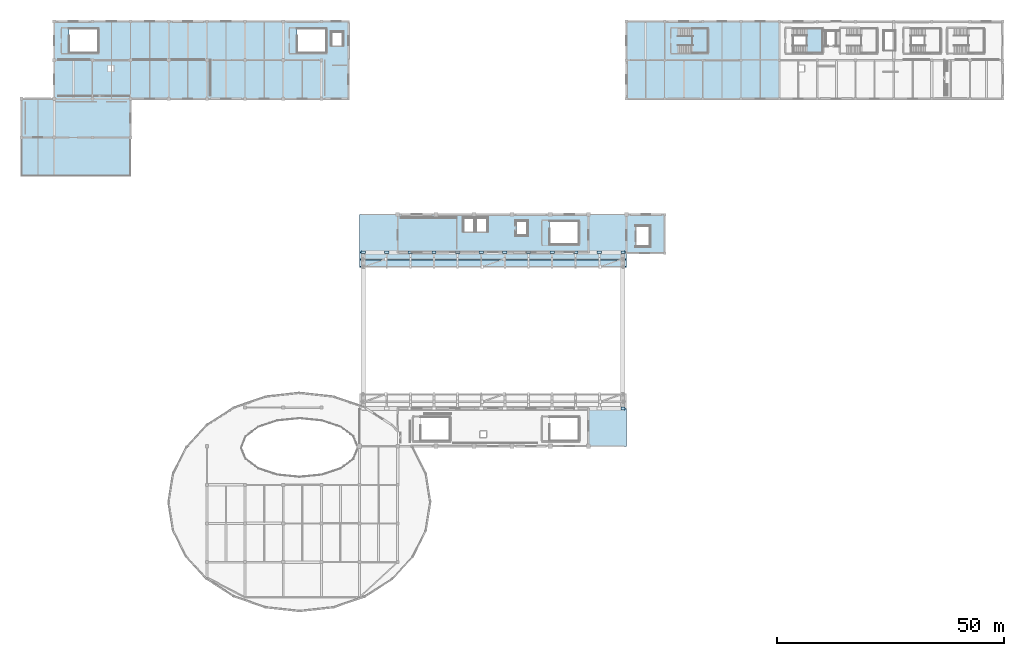
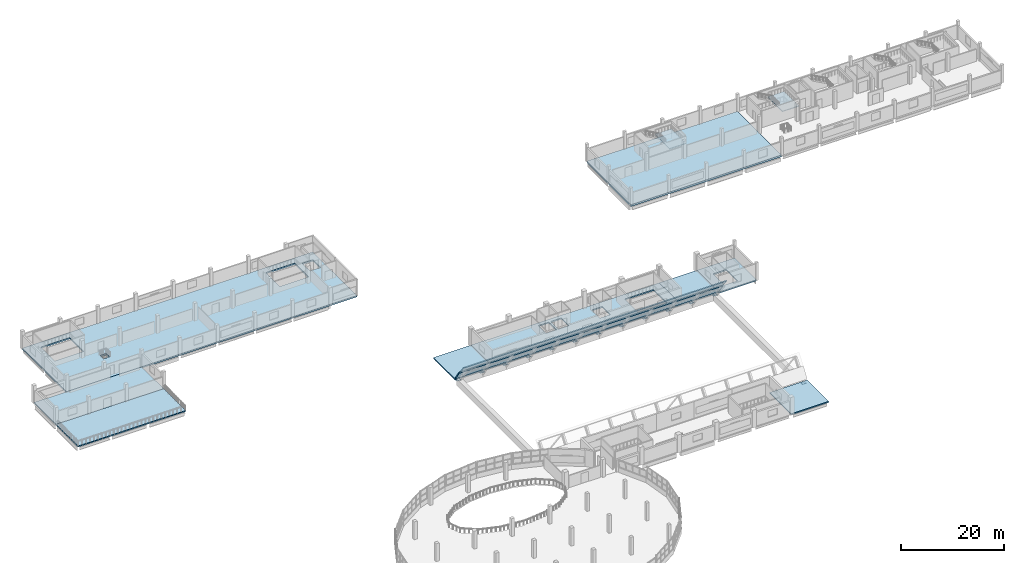
# One storey, part 36 of 52: 13 plates, 13 slabs, 2 elements without a shape of their own.
"""IFC4 building model written with IfcOpenShell, lengths in metres."""

import ifcopenshell
import ifcopenshell.guid

model = None  # the IFC model being written
_history = None  # IfcOwnerHistory: only IFC2X3 demands one
_inside = {}  # id of a spatial element -> (the spatial element, [elements in it])
_under = {}  # id of a project, library or spatial element -> (it, [spatial elements below it])
_declared = {}  # id of a project -> (the project, [libraries it declares])
_typed = {}  # id of a type object -> (the type object, [elements of that type])
_made_of = {}  # id of a material, layer set ... -> (it, [elements and type objects made of it])


def new_model(schema):
    """Start an empty IFC model of exactly this schema.

    Asked for "IFC4X3", IfcOpenShell would pick the latest addendum, in which some entities
    have other attributes; the version numbers below select the first issue.
    IFC2X3 requires an IfcOwnerHistory on every rooted entity: one is made here for all.
    """
    global model, _history
    if schema == "IFC4X3":
        model = ifcopenshell.file(schema_version=(4, 3, 0, 0))
    else:
        model = ifcopenshell.file(schema=schema)
    _inside.clear()
    _under.clear()
    _declared.clear()
    _typed.clear()
    _made_of.clear()
    _history = None
    if model.schema == "IFC2X3":
        org = make("IfcOrganization", Name="unknown")
        user = make(
            "IfcPersonAndOrganization",
            ThePerson=make("IfcPerson", FamilyName="unknown"),
            TheOrganization=org,
        )
        app = make(
            "IfcApplication",
            ApplicationDeveloper=org,
            Version="unknown",
            ApplicationFullName="unknown",
            ApplicationIdentifier="unknown",
        )
        _history = make(
            "IfcOwnerHistory",
            OwningUser=user,
            OwningApplication=app,
            ChangeAction="ADDED",
            CreationDate=0,
        )
    return model


def make(cls, **values):
    """One entity of the class cls with the attributes given. An attribute that is None is left unset."""
    return model.create_entity(
        cls, **{name: value for name, value in values.items() if value is not None}
    )


def rooted(cls, **values):
    """An entity with a GlobalId (a new one), such as an element, a storey or a relation."""
    return make(cls, GlobalId=ifcopenshell.guid.new(), OwnerHistory=_history, **values)


def si_unit(unit_type, name, prefix=None):
    """IfcSIUnit, for example si_unit("LENGTHUNIT", "METRE", prefix="MILLI")."""
    return make("IfcSIUnit", UnitType=unit_type, Prefix=prefix, Name=name)


def assignment(units):
    """IfcUnitAssignment: the units of a project."""
    return None if units is None else make("IfcUnitAssignment", Units=units)


def point(xyz):
    """IfcCartesianPoint."""
    return None if xyz is None else make("IfcCartesianPoint", Coordinates=xyz)


def direction(xyz):
    """IfcDirection."""
    return None if xyz is None else make("IfcDirection", DirectionRatios=xyz)


def frame(location, z_axis=None, x_axis=None):
    """IfcAxis2Placement3D, a coordinate frame: its origin and axes. An axis left out is left unset."""
    return make(
        "IfcAxis2Placement3D",
        Location=point(location),
        Axis=direction(z_axis),
        RefDirection=direction(x_axis),
    )


def frame_2d(location, x_axis=None):
    """IfcAxis2Placement2D, a coordinate frame in the plane: its origin and x axis."""
    return make(
        "IfcAxis2Placement2D", Location=point(location), RefDirection=direction(x_axis)
    )


def origin():
    """The frame at (0, 0, 0) with its axes left unset."""
    return frame((0.0, 0.0, 0.0))


def origin_2d():
    """The frame at (0, 0) in the plane with its x axis left unset."""
    return frame_2d((0.0, 0.0))


def place(relative_to, where):
    """IfcLocalPlacement: puts the frame where relative to a parent placement (None: the world)."""
    return make(
        "IfcLocalPlacement", PlacementRelTo=relative_to, RelativePlacement=where
    )


def context(
    kind, dimensions, precision=None, world=None, true_north=None, identifier=None
):
    """IfcGeometricRepresentationContext, for example the 3D "Model" context."""
    return make(
        "IfcGeometricRepresentationContext",
        ContextIdentifier=identifier,
        ContextType=kind,
        CoordinateSpaceDimension=dimensions,
        Precision=precision,
        WorldCoordinateSystem=world,
        TrueNorth=true_north,
    )


def subcontext(parent, identifier, kind, view, scale=None):
    """IfcGeometricRepresentationSubContext, for example "Body" below "Model"."""
    return make(
        "IfcGeometricRepresentationSubContext",
        ContextIdentifier=identifier,
        ContextType=kind,
        ParentContext=parent,
        TargetScale=scale,
        TargetView=view,
    )


def project(units=None, contexts=None):
    """IfcProject with its units and contexts."""
    return rooted(
        "IfcProject",
        Name="project",
        RepresentationContexts=contexts,
        UnitsInContext=assignment(units),
    )


def spatial(cls, under=None, at=None, **own):
    """A site, building, storey or space (cls), placed at a placement, below another one or the project."""
    s = rooted(cls, ObjectPlacement=at, **own)
    if under is not None:
        _under.setdefault(under.id(), (under, []))[1].append(s)
    return s


def polyline(points):
    """IfcPolyline through the points."""
    return make("IfcPolyline", Points=[point(p) for p in points])


def profile(cls, at=None, kind="AREA", **sizes):
    """A parametric profile (cls). Its sizes go by their IFC names, for example OverallWidth=200.0."""
    return make(cls, ProfileType=kind, Position=at, **sizes)


def rectangle(**sizes):
    """IfcRectangleProfileDef."""
    return profile("IfcRectangleProfileDef", **sizes)


def outline(outer, holes=None, kind="AREA"):
    """IfcArbitraryClosedProfileDef: a profile drawn as a closed curve; with holes, ...WithVoids."""
    if holes is None:
        return make("IfcArbitraryClosedProfileDef", ProfileType=kind, OuterCurve=outer)
    return make(
        "IfcArbitraryProfileDefWithVoids",
        ProfileType=kind,
        OuterCurve=outer,
        InnerCurves=holes,
    )


def extrude(swept, where, along, depth):
    """IfcExtrudedAreaSolid: the profile swept, set in the frame where, extruded along a direction by depth."""
    return make(
        "IfcExtrudedAreaSolid",
        SweptArea=swept,
        Position=where,
        ExtrudedDirection=direction(along),
        Depth=depth,
    )


def shape(context_of_items, identifier, shape_type, items):
    """IfcShapeRepresentation: the items that make up one representation, for example the "Body"."""
    return make(
        "IfcShapeRepresentation",
        ContextOfItems=context_of_items,
        RepresentationIdentifier=identifier,
        RepresentationType=shape_type,
        Items=items,
    )


def material(Name=None, Category=None):
    """IfcMaterial."""
    return make("IfcMaterial", Name=Name, Category=Category)


def layer(
    of_material, thickness, ventilated=None, Name=None, Category=None, Priority=None
):
    """IfcMaterialLayer: one layer of a wall or slab, of a material (None: an air gap)."""
    return make(
        "IfcMaterialLayer",
        Material=of_material,
        LayerThickness=thickness,
        IsVentilated=ventilated,
        Name=Name,
        Category=Category,
        Priority=Priority,
    )


def layer_set(layers, Name=None):
    """IfcMaterialLayerSet."""
    return make("IfcMaterialLayerSet", MaterialLayers=layers, LayerSetName=Name)


def made_of(thing, what):
    """Note that an element or type object is made of a material, layer set ...; save() writes the relation."""
    if what is not None:
        _made_of.setdefault(what.id(), (what, []))[1].append(thing)
    return thing


def type_object(cls, material=None, **own):
    """A type object (cls), such as IfcWallType, which elements share."""
    return made_of(rooted(cls, **own), material)


def element(
    cls,
    number,
    at=None,
    inside=None,
    cuts=None,
    type_object=None,
    material=None,
    context=None,
    identifier="Body",
    shape_type=None,
    held_by="IfcProductDefinitionShape",
    body=None,
    shapes=None,
    **own,
):
    """One element of the class cls, such as IfcWall. Its Tag is "e" and its number.

    at: its placement. inside: the storey or other place that contains it. cuts: it is an
    opening in that element (IfcRelVoidsElement). A single representation is given by context,
    identifier, shape_type and body (its items); several are given by shapes. held_by: the class
    of the entity that holds the representations. save() writes the other relations.
    """
    e = rooted(cls, Tag="e%d" % number, ObjectPlacement=at, **own)
    if body is not None:
        shapes = [shape(context, identifier, shape_type, body)]
    if shapes is not None:
        e.Representation = make(held_by, Representations=shapes)
    if inside is not None:
        _inside.setdefault(inside.id(), (inside, []))[1].append(e)
    if cuts is not None:
        rooted(
            "IfcRelVoidsElement", RelatingBuildingElement=cuts, RelatedOpeningElement=e
        )
    if type_object is not None:
        _typed.setdefault(type_object.id(), (type_object, []))[1].append(e)
    return made_of(e, material)


def aggregate(whole, parts):
    """IfcRelAggregates: a whole, such as a stair, and the parts it consists of."""
    return rooted("IfcRelAggregates", RelatingObject=whole, RelatedObjects=parts)


def save(model, path):
    """Write the relations noted so far, then the file.

    IfcRelAggregates (storeys below a building ...), IfcRelContainedInSpatialStructure (elements
    in a storey), IfcRelDefinesByType, IfcRelAssociatesMaterial and IfcRelDeclares: one each for
    every whole, place, type object, material and project.
    """
    for whole, parts in _under.values():
        aggregate(whole, parts)
    for where, things in _inside.values():
        rooted(
            "IfcRelContainedInSpatialStructure",
            RelatedElements=things,
            RelatingStructure=where,
        )
    for kind, things in _typed.values():
        rooted("IfcRelDefinesByType", RelatedObjects=things, RelatingType=kind)
    for what, things in _made_of.values():
        rooted("IfcRelAssociatesMaterial", RelatedObjects=things, RelatingMaterial=what)
    for by, libraries in _declared.values():
        rooted("IfcRelDeclares", RelatingContext=by, RelatedDefinitions=libraries)
    model.write(path)


model = new_model("IFC4")

# Units and contexts
model_context = context("Model", 3, precision=1e-05, world=origin(), true_north=direction((0.0, 1.0)))
body_context = subcontext(model_context, "Body", "Model", "MODEL_VIEW")
ifc_project = project(units=[si_unit("LENGTHUNIT", "METRE"), si_unit("AREAUNIT", "SQUARE_METRE"), si_unit("VOLUMEUNIT", "CUBIC_METRE"), si_unit("PLANEANGLEUNIT", "RADIAN"), si_unit("MASSUNIT", "GRAM", prefix="KILO")], contexts=[model_context])

# Site, building, storey
site_placement = place(None, origin())
site = spatial("IfcSite", under=ifc_project, at=site_placement, CompositionType="ELEMENT")
building_placement = place(site_placement, origin())
building = spatial("IfcBuilding", under=site, at=building_placement, Name="Solvento Point Concert Hall", CompositionType="ELEMENT")
storey_placement = place(building_placement, frame((0.0, 0.0, 19.5)))
storey = spatial("IfcBuildingStorey", under=building, at=storey_placement, Name="L04", CompositionType="ELEMENT", Elevation=19.5)

# Slabs
ifc_material_1 = material(Name="Concrete C35/45", Category="concrete")
ifc_layer_1 = layer(ifc_material_1, 0.2900390625)
ifc_layer_set_1 = layer_set([ifc_layer_1], Name="Concrete C35/45")
slab_type_1 = type_object("IfcSlabType", Name="FloorSlab_290_Arc", PredefinedType="FLOOR", material=ifc_layer_set_1)
slab_1_placement = place(storey_placement, frame((0.0, 0.0, -0.2900390625)))
element("IfcSlab", 1, at=slab_1_placement, inside=storey, type_object=slab_type_1, Name="Structural slab SL-L04 SLAB-L04-V1N", PredefinedType="FLOOR", context=body_context, shape_type="SweptSolid", body=[
    extrude(outline(polyline([(82.800048828125, 93.5), (124.800048828125, 93.5), (124.800048828125, 85.199951171875), (82.800048828125, 85.199951171875), (82.800048828125, 93.5)]), holes=[polyline([(122.699951171875, 92.10009765625), (116.25, 92.10009765625), (116.25, 86.89990234375), (122.699951171875, 86.89990234375), (122.699951171875, 92.10009765625)]), polyline([(111.280029296875, 92.080078125), (108.919921875, 92.080078125), (108.919921875, 88.919921875), (111.280029296875, 88.919921875), (111.280029296875, 92.080078125)]), polyline([(102.47998046875, 92.679931640625), (100.1201171875, 92.679931640625), (100.1201171875, 89.719970703125), (102.47998046875, 89.719970703125), (102.47998046875, 92.679931640625)]), polyline([(99.679931640625, 92.679931640625), (97.320068359375, 92.679931640625), (97.320068359375, 89.719970703125), (99.679931640625, 89.719970703125), (99.679931640625, 92.679931640625)])]), origin(), (0.0, 0.0, 1.0), 0.2900390625),
])
slab_2_placement = place(storey_placement, frame((0.0, 0.0, -0.2900390625)))
element("IfcSlab", 2, at=slab_2_placement, inside=storey, type_object=slab_type_1, Name="Structural slab SL-L04 SLAB-L04-V4W", PredefinedType="FLOOR", context=body_context, shape_type="SweptSolid", body=[
    extrude(outline(polyline([(0.0, 119.0), (24.0, 119.0), (24.0, 110.5), (0.0, 110.5), (0.0, 119.0)])), origin(), (0.0, 0.0, 1.0), 0.2900390625),
])
slab_3_placement = place(storey_placement, frame((0.0, 0.0, -0.2900390625)))
element("IfcSlab", 3, at=slab_3_placement, inside=storey, type_object=slab_type_1, Name="Structural slab SL-L04 SLAB-L04-V5M", PredefinedType="FLOOR", context=body_context, shape_type="SweptSolid", body=[
    extrude(outline(polyline([(133.199951171875, 93.5), (141.60009765625, 93.5), (141.60009765625, 85.0), (133.199951171875, 85.0), (133.199951171875, 93.5)]), holes=[polyline([(138.280029296875, 90.8798828125), (135.320068359375, 90.8798828125), (135.320068359375, 86.52001953125), (138.280029296875, 86.52001953125), (138.280029296875, 90.8798828125)])]), origin(), (0.0, 0.0, 1.0), 0.2900390625),
])
ifc_material_2 = material(Name="Concrete C35/45", Category="concrete")
ifc_layer_2 = layer(ifc_material_2, 0.340087890625)
ifc_layer_set_2 = layer_set([ifc_layer_2], Name="Concrete C35/45")
slab_type_2 = type_object("IfcSlabType", Name="FloorSlab_340_Stk", PredefinedType="FLOOR", material=ifc_layer_set_2)
slab_4_placement = place(storey_placement, frame((0.0, 0.0, -0.340087890625)))
element("IfcSlab", 4, at=slab_4_placement, inside=storey, type_object=slab_type_2, Name="Structural slab SL-STK SLAB-L04-V4N", PredefinedType="FLOOR", context=body_context, shape_type="SweptSolid", body=[
    extrude(outline(polyline([(7.199951171875, 136.0), (72.0, 136.0), (72.0, 119.0), (7.199951171875, 119.0), (7.199951171875, 136.0)]), holes=[polyline([(70.679931640625, 130.719970703125), (70.679931640625, 133.679931640625), (68.320068359375, 133.679931640625), (68.320068359375, 130.719970703125), (70.679931640625, 130.719970703125)]), polyline([(67.10009765625, 129.10009765625), (67.10009765625, 134.5), (60.64990234375, 134.5), (60.64990234375, 129.10009765625), (67.10009765625, 129.10009765625)]), polyline([(20.300048828125, 126.300048828125), (19.0, 126.300048828125), (19.0, 125.0), (20.300048828125, 125.0), (20.300048828125, 126.300048828125)]), polyline([(16.89990234375, 134.5), (10.449951171875, 134.5), (10.449951171875, 129.10009765625), (16.89990234375, 129.10009765625), (16.89990234375, 134.5)])]), origin(), (0.0, 0.0, 1.0), 0.340087890625),
])
ifc_material_3 = material(Name="Concrete C40/50", Category="concrete")
ifc_layer_3 = layer(ifc_material_3, 0.419921875)
ifc_layer_set_3 = layer_set([ifc_layer_3], Name="Concrete C40/50")
slab_type_3 = type_object("IfcSlabType", Name="FloorSlab_400_Hall", PredefinedType="FLOOR", material=ifc_layer_set_3)
slab_5_placement = place(storey_placement, frame((0.0, 0.0, -0.419921875)))
element("IfcSlab", 5, at=slab_5_placement, inside=storey, type_object=slab_type_3, Name="Structural slab SL-AC1 SLAB-L04-V5K", PredefinedType="FLOOR", context=body_context, shape_type="SweptSolid", body=[
    extrude(outline(polyline([(133.199951171875, 136.0), (166.800048828125, 136.0), (166.800048828125, 119.0), (133.199951171875, 119.0), (133.199951171875, 136.0)])), origin(), (0.0, 0.0, 1.0), 0.419921875),
])

# Plates
ifc_material_4 = material(Name="Structural Steel ASTM A572 Grade 50", Category="steel")
ifc_layer_4 = layer(ifc_material_4, 0.031982421875)
ifc_layer_set_4 = layer_set([ifc_layer_4], Name="Structural Steel ASTM A572 Grade 50")
plate_type = type_object("IfcPlateType", Name="NodePlate_AR01", PredefinedType="SHEET", material=ifc_layer_set_4)
for number, where, z_axis, x_axis, name in (
    (6, (75.199951171875, 85.199951171875, -0.4658203125), (0.0, 0.0, 1.0), (1.0, 0.0, 0.0), "Arch rib springing shoe node ND-AR01"),
    (7, (80.39990234375, 85.199951171875, -0.4658203125), (0.0, 0.0, 1.0), (1.0, 0.0, 0.0), "Arch rib springing shoe node ND-AR01"),
    (8, (85.60009765625, 85.199951171875, -0.4658203125), (0.0, 0.0, 1.0), (1.0, 0.0, 0.0), "Arch rib springing shoe node ND-AR01"),
    (9, (90.800048828125, 85.199951171875, -0.4658203125), (0.0, 0.0, 1.0), (1.0, 0.0, 0.0), "Arch rib springing shoe node ND-AR01"),
    (10, (96.0, 85.199951171875, -0.4658203125), (0.0, 0.0, 1.0), (1.0, 0.0, 0.0), "Arch rib springing shoe node ND-AR01"),
    (11, (101.199951171875, 85.199951171875, -0.4658203125), (0.0, 0.0, 1.0), (1.0, 0.0, 0.0), "Arch rib springing shoe node ND-AR01"),
    (12, (106.39990234375, 85.199951171875, -0.4658203125), (0.0, 0.0, 1.0), (1.0, 0.0, 0.0), "Arch rib springing shoe node ND-AR01"),
    (13, (111.60009765625, 85.199951171875, -0.4658203125), (0.0, 0.0, 1.0), (1.0, 0.0, 0.0), "Arch rib springing shoe node ND-AR01"),
    (14, (116.800048828125, 85.199951171875, -0.4658203125), (0.0, 0.0, 1.0), (1.0, 0.0, 0.0), "Arch rib springing shoe node ND-AR01"),
    (15, (122.0, 85.199951171875, -0.4658203125), (0.0, 0.0, 1.0), (1.0, 0.0, 0.0), "Arch rib springing shoe node ND-AR01"),
    (16, (127.199951171875, 85.199951171875, -0.4658203125), (0.0, 0.0, 1.0), (1.0, 0.0, 0.0), "Arch rib springing shoe node ND-AR01"),
    (17, (132.39990234375, 50.800048828125, -0.4658203125), (0.0, 0.0, 1.0), (1.0, 0.0, 0.0), "Arch rib springing shoe node ND-AR01"),
    (18, (132.39990234375, 85.199951171875, -0.4658203125), (0.0, 0.0, 1.0), (1.0, 0.0, 0.0), "Arch rib springing shoe node ND-AR01"),
):
    element("IfcPlate", number, at=place(storey_placement, frame(where, z_axis=z_axis, x_axis=x_axis)), inside=storey, type_object=plate_type, Name=name, PredefinedType="SHEET", context=body_context, shape_type="SweptSolid", body=[
        extrude(rectangle(XDim=0.9599609375, YDim=0.60009765625, at=origin_2d()), origin(), (0.0, 0.0, 1.0), 0.031982421875),
    ])

# Slabs
ifc_material_5 = material(Name="Concrete C40/50", Category="concrete")
ifc_layer_5 = layer(ifc_material_5, 0.260009765625)
ifc_layer_set_5 = layer_set([ifc_layer_5], Name="Concrete C40/50")
slab_type_4 = type_object("IfcSlabType", Name="RoofFlat_260", PredefinedType="ROOF", material=ifc_layer_set_5)
slab_6_placement = place(storey_placement, frame((0.0, 0.0, -0.260009765625)))
element("IfcSlab", 19, at=slab_6_placement, inside=storey, type_object=slab_type_4, Name="Structural slab RF-DK1 RF-L04-V1SE", PredefinedType="ROOF", context=body_context, shape_type="SweptSolid", body=[
    extrude(outline(polyline([(124.800048828125, 42.5), (124.800048828125, 50.800048828125), (133.199951171875, 50.800048828125), (133.199951171875, 42.5), (124.800048828125, 42.5)])), origin(), (0.0, 0.0, 1.0), 0.260009765625),
])
slab_7_placement = place(storey_placement, frame((0.0, 0.0, -0.260009765625)))
element("IfcSlab", 20, at=slab_7_placement, inside=storey, type_object=slab_type_4, Name="Structural slab RF-DK1 RF-L04-V1NW", PredefinedType="ROOF", context=body_context, shape_type="SweptSolid", body=[
    extrude(outline(polyline([(74.39990234375, 85.199951171875), (74.39990234375, 93.5), (82.800048828125, 93.5), (82.800048828125, 85.199951171875), (74.39990234375, 85.199951171875)])), origin(), (0.0, 0.0, 1.0), 0.260009765625),
])
slab_8_placement = place(storey_placement, frame((0.0, 0.0, -0.260009765625)))
element("IfcSlab", 21, at=slab_8_placement, inside=storey, type_object=slab_type_4, Name="Structural slab RF-DK1 RF-L04-V1NE", PredefinedType="ROOF", context=body_context, shape_type="SweptSolid", body=[
    extrude(outline(polyline([(124.800048828125, 85.199951171875), (124.800048828125, 93.5), (133.199951171875, 93.5), (133.199951171875, 85.199951171875), (124.800048828125, 85.199951171875)])), origin(), (0.0, 0.0, 1.0), 0.260009765625),
])
ifc_material_6 = material(Name="Concrete C40/50", Category="concrete")
ifc_layer_6 = layer(ifc_material_6, 0.219970703125)
ifc_layer_set_6 = layer_set([ifc_layer_6], Name="Concrete C40/50")
slab_type_5 = type_object("IfcSlabType", Name="RoofShell_220", PredefinedType="ROOF", material=ifc_layer_set_6)
slab_9_placement = place(storey_placement, frame((74.39990234375, 82.043701171875, 4.686767578125), z_axis=(0.0, 0.8029814878, 0.596003968317), x_axis=(1.0, 0.0, 0.0)))
element("IfcSlab", 22, at=slab_9_placement, inside=storey, type_object=slab_type_5, Name="Concrete acoustic shell roof panel CS-01 #11", PredefinedType="ROOF", context=body_context, shape_type="SweptSolid", body=[
    extrude(outline(polyline([(0.0, 0.0), (58.800048828125, 0.0), (58.800048828125, 2.781382225408174), (0.0, 2.781382225408174), (0.0, 0.0)])), origin(), (0.0, 0.0, -1.0), 0.219970703125),
])
slab_10_placement = place(storey_placement, frame((74.39990234375, 83.701416015625, 2.453369140625), z_axis=(0.0, 0.830398729066, 0.557169588873), x_axis=(1.0, 0.0, 0.0)))
element("IfcSlab", 23, at=slab_10_placement, inside=storey, type_object=slab_type_5, Name="Concrete acoustic shell roof panel CS-01 #12", PredefinedType="ROOF", context=body_context, shape_type="SweptSolid", body=[
    extrude(outline(polyline([(0.0, 0.0), (58.800048828125, 0.0), (58.800048828125, 2.689549440918433), (0.0, 2.689549440918433), (0.0, 0.0)])), origin(), (0.0, 0.0, -1.0), 0.219970703125),
])

# Stair, slab
ifc_material_7 = material(Name="Concrete C35/45", Category="concrete")
stair_type_1 = type_object("IfcStairType", Name="CoreStair_1600", PredefinedType="HALF_TURN_STAIR", material=ifc_material_7)
stair_1_placement = place(storey_placement, origin())
stair_1 = element("IfcStair", 24, at=stair_1_placement, inside=storey, type_object=stair_type_1, Name="Protected exit stair ST-01 (L04 to L05)", PredefinedType="HALF_TURN_STAIR")
ifc_material_8 = material(Name="Concrete C35/45", Category="concrete")
ifc_layer_7 = layer(ifc_material_8, 0.179931640625)
ifc_layer_set_7 = layer_set([ifc_layer_7], Name="Concrete C35/45")
slab_type_6 = type_object("IfcSlabType", Name="StairLanding_180", PredefinedType="LANDING", material=ifc_layer_set_7)
slab_11_placement = place(storey_placement, frame((0.0, 0.0, 2.00390625)))
slab_11 = element("IfcSlab", 25, at=slab_11_placement, type_object=slab_type_6, Name="Stair half-landing ST-01 L04", PredefinedType="LANDING", context=body_context, shape_type="SweptSolid", body=[
    extrude(outline(polyline([(172.760009765625, 128.9599609375), (176.43994140625, 128.9599609375), (176.43994140625, 134.639892578125), (172.760009765625, 134.639892578125), (172.760009765625, 128.9599609375)])), origin(), (0.0, 0.0, 1.0), 0.18017578125),
])
aggregate(stair_1, [slab_11])

ifc_material_9 = material(Name="Concrete C35/45", Category="concrete")
stair_type_2 = type_object("IfcStairType", Name="CoreStair_1760", PredefinedType="HALF_TURN_STAIR", material=ifc_material_9)
stair_2_placement = place(storey_placement, origin())
stair_2 = element("IfcStair", 26, at=stair_2_placement, inside=storey, type_object=stair_type_2, Name="Protected exit stair ST-12 (L04 to L05)", PredefinedType="HALF_TURN_STAIR")
slab_12_placement = place(storey_placement, frame((0.0, 0.0, 2.00390625)))
slab_12 = element("IfcSlab", 27, at=slab_12_placement, type_object=slab_type_6, Name="Stair half-landing ST-12 L04", PredefinedType="LANDING", context=body_context, shape_type="SweptSolid", body=[
    extrude(outline(polyline([(147.56005859375, 128.9599609375), (151.239990234375, 128.9599609375), (151.239990234375, 134.639892578125), (147.56005859375, 134.639892578125), (147.56005859375, 128.9599609375)])), origin(), (0.0, 0.0, 1.0), 0.18017578125),
])
aggregate(stair_2, [slab_12])

# Slab
ifc_material_10 = material(Name="Concrete C40/50", Category="concrete")
ifc_layer_8 = layer(ifc_material_10, 0.264892578125)
ifc_layer_set_8 = layer_set([ifc_layer_8], Name="Concrete C40/50")
slab_type_7 = type_object("IfcSlabType", Name="VerandaSlab_265", PredefinedType="FLOOR", material=ifc_layer_set_8)
slab_13_placement = place(storey_placement, frame((0.0, 0.0, -0.264892578125)))
element("IfcSlab", 28, at=slab_13_placement, inside=storey, type_object=slab_type_7, Name="Outdoor public terrace deck L04", PredefinedType="FLOOR", context=body_context, shape_type="SweptSolid", body=[
    extrude(outline(polyline([(0.0, 102.0), (0.0, 110.5), (24.0, 110.5), (24.0, 102.0), (0.0, 102.0)])), origin(), (0.0, 0.0, 1.0), 0.264892578125),
])

save(model, "model.ifc")
